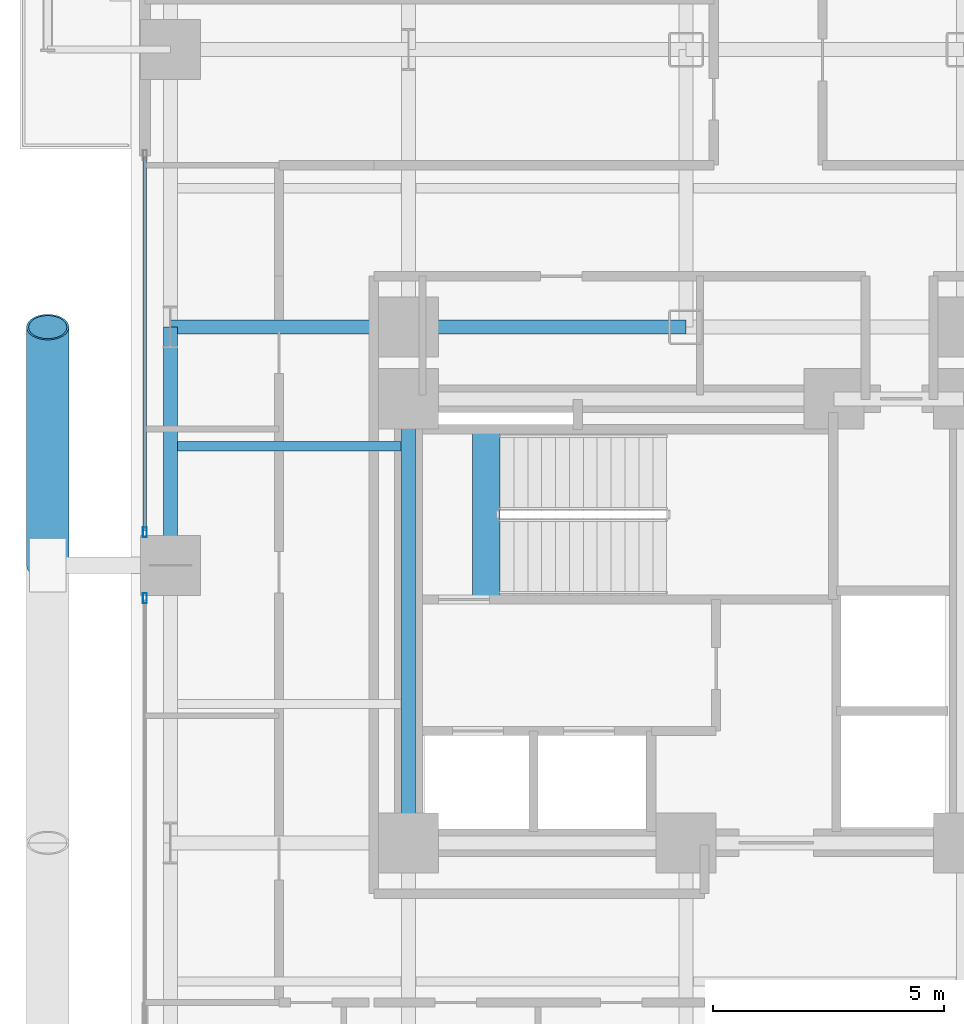
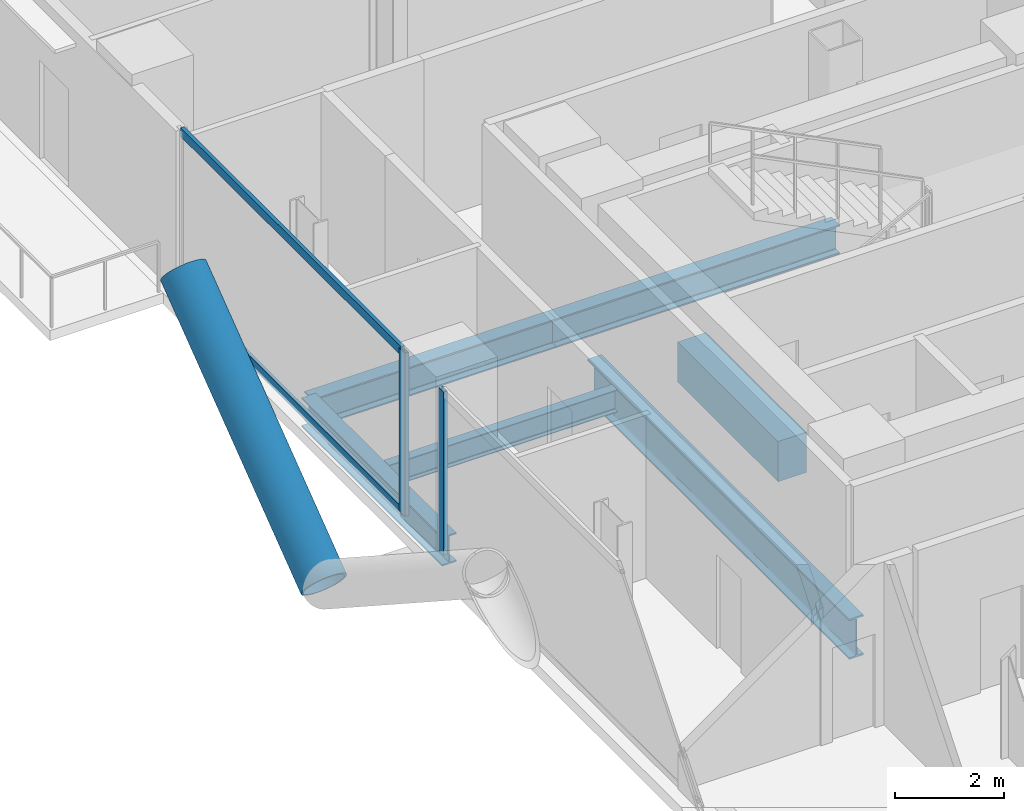
# One storey, part 5 of 27: 6 beams, 5 members, 2 elements without a shape of their own.
"""IFC4 building model written with IfcOpenShell, lengths in metres."""

from ifc_helpers import new_model, si_unit, direction, frame, origin, origin_2d, place, context, subcontext, project, spatial, rectangle, hollow_rectangle, hollow_circle, i_section, extrude, material, layer, layer_set, material_profile, profile_set, type_object, element, aggregate, save


model = new_model("IFC4")

# Units and contexts
model_context = context("Model", 3, precision=1e-05, world=origin(), true_north=direction((0.0, 1.0)))
body_context = subcontext(model_context, "Body", "Model", "MODEL_VIEW")
ifc_project = project(units=[si_unit("LENGTHUNIT", "METRE"), si_unit("AREAUNIT", "SQUARE_METRE"), si_unit("VOLUMEUNIT", "CUBIC_METRE"), si_unit("PLANEANGLEUNIT", "RADIAN"), si_unit("MASSUNIT", "GRAM", prefix="KILO"), si_unit("THERMODYNAMICTEMPERATUREUNIT", "KELVIN"), si_unit("POWERUNIT", "WATT")], contexts=[model_context])

# Site, building, storey
site_placement = place(None, origin())
site = spatial("IfcSite", under=ifc_project, at=site_placement, CompositionType="ELEMENT")
building_placement = place(site_placement, origin())
building = spatial("IfcBuilding", under=site, at=building_placement, Name="Svarakhadi Broadcast Tower", CompositionType="ELEMENT")
storey_placement = place(building_placement, frame((0.0, 0.0, 44.10009765625)))
storey = spatial("IfcBuildingStorey", under=building, at=storey_placement, Name="L09", CompositionType="ELEMENT", Elevation=44.10009765625)

# Beam
ifc_material_1 = material(Name="Steel S355J2 (IS 2062 E350C)", Category="steel")
ifc_material_profile_1 = material_profile(ifc_material_1, i_section(OverallWidth=0.199951171875, OverallDepth=0.5, WebThickness=0.01025390625, FlangeThickness=0.01611328125, FilletRadius=0.02099609375, at=origin_2d()), Name="NPB 500x200x91")
ifc_profile_set_1 = profile_set([ifc_material_profile_1], Name="Steel S355J2 (IS 2062 E350C)")
beam_type_1 = type_object("IfcBeamType", Name="Beam_NPB500", PredefinedType="BEAM", material=ifc_profile_set_1)
beam_1_placement = place(storey_placement, frame((1.010009765625, 26.574951171875, -0.5), z_axis=(1.0, 0.0, 0.0), x_axis=(0.0, 1.0, 0.0)))
element("IfcBeam", 1, at=beam_1_placement, inside=storey, type_object=beam_type_1, Name="L09 Secondary Composite Beam SB004", PredefinedType="BEAM", context=body_context, shape_type="SweptSolid", body=[
    extrude(i_section(OverallWidth=0.199951171875, OverallDepth=0.5, WebThickness=0.01025390625, FlangeThickness=0.01611328125, FilletRadius=0.02099609375, at=origin_2d()), origin(), (0.0, 0.0, 1.0), 4.830078125),
])

# Curtain wall, member
ifc_material_2 = material(Name="Anodised Bronze Aluminium AA 6063-T6", Category="aluminium")
ifc_layer = layer(ifc_material_2, 0.219970703125)
ifc_layer_set = layer_set([ifc_layer], Name="Anodised Bronze Aluminium AA 6063-T6")
curtain_wall_type = type_object("IfcCurtainWallType", Name="CW_Sys_02", PredefinedType="NOTDEFINED", material=ifc_layer_set)
curtain_wall_1_placement = place(storey_placement, origin())
curtain_wall_1 = element("IfcCurtainWall", 2, at=curtain_wall_1_placement, inside=storey, type_object=curtain_wall_type, Name="L09 West Curtain Wall 02 Bay 2", PredefinedType="NOTDEFINED")
ifc_material_profile_2 = material_profile(ifc_material_2, hollow_rectangle(XDim=0.0849609375, YDim=0.219970703125, WallThickness=0.006103515625, at=origin_2d()), Name="ALU MULLION 220x85x6")
ifc_profile_set_2 = profile_set([ifc_material_profile_2], Name="Anodised Bronze Aluminium AA 6063-T6")
member_type_1 = type_object("IfcMemberType", Name="CW_Sys_02_Mul", PredefinedType="MULLION", material=ifc_profile_set_2)
member_1_placement = place(storey_placement, frame((0.300048828125, 23.28759765625, 0.0), z_axis=(0.0, 0.0, 1.0), x_axis=(-1.0, 0.0, 0.0)))
member_1 = element("IfcMember", 3, at=member_1_placement, type_object=member_type_1, Name="CW-02 mullion 2", PredefinedType="MULLION", context=body_context, shape_type="SweptSolid", body=[
    extrude(hollow_rectangle(XDim=0.0849609375, YDim=0.219970703125, WallThickness=0.006103515625, at=origin_2d()), origin(), (0.0, 0.0, 1.0), 3.64990234375),
])
aggregate(curtain_wall_1, [member_1])

# Curtain wall, members
curtain_wall_2_placement = place(storey_placement, origin())
curtain_wall_2 = element("IfcCurtainWall", 4, at=curtain_wall_2_placement, inside=storey, type_object=curtain_wall_type, Name="L09 West Curtain Wall 02 Bay 3", PredefinedType="NOTDEFINED")
member_2_placement = place(storey_placement, frame((0.300048828125, 24.71240234375, 0.0), z_axis=(0.0, 0.0, 1.0), x_axis=(-1.0, 0.0, 0.0)))
member_2 = element("IfcMember", 5, at=member_2_placement, type_object=member_type_1, Name="CW-02 mullion 1", PredefinedType="MULLION", context=body_context, shape_type="SweptSolid", body=[
    extrude(hollow_rectangle(XDim=0.0849609375, YDim=0.219970703125, WallThickness=0.006103515625, at=origin_2d()), origin(), (0.0, 0.0, 1.0), 3.64990234375),
])
ifc_material_profile_3 = material_profile(ifc_material_2, hollow_rectangle(XDim=0.074951171875, YDim=0.199951171875, WallThickness=0.0048828125, at=origin_2d()), Name="ALU TRANSOM 200x75x5")
ifc_profile_set_3 = profile_set([ifc_material_profile_3], Name="Anodised Bronze Aluminium AA 6063-T6")
member_type_2 = type_object("IfcMemberType", Name="CW_Sys_02_Trn", PredefinedType="USERDEFINED", material=ifc_profile_set_3)
member_3_placement = place(storey_placement, frame((0.300048828125, 24.7548828125, 0.037353515625), z_axis=(0.0, 1.0, 0.0), x_axis=(-1.0, 0.0, 0.0)))
member_3 = element("IfcMember", 6, at=member_3_placement, type_object=member_type_2, Name="CW-02 transom 1.1", ObjectType="TRANSOM", PredefinedType="USERDEFINED", context=body_context, shape_type="SweptSolid", body=[
    extrude(hollow_rectangle(XDim=0.074951171875, YDim=0.199951171875, WallThickness=0.0048828125, at=origin_2d()), origin(), (0.0, 0.0, 1.0), 8.070068359375),
])
member_4_placement = place(storey_placement, frame((0.300048828125, 24.7548828125, 3.6123046875), z_axis=(0.0, 1.0, 0.0), x_axis=(-1.0, 0.0, 0.0)))
member_4 = element("IfcMember", 7, at=member_4_placement, type_object=member_type_2, Name="CW-02 transom 1.2", ObjectType="TRANSOM", PredefinedType="USERDEFINED", context=body_context, shape_type="SweptSolid", body=[
    extrude(hollow_rectangle(XDim=0.074951171875, YDim=0.199951171875, WallThickness=0.0048828125, at=origin_2d()), origin(), (0.0, 0.0, 1.0), 8.070068359375),
])
aggregate(curtain_wall_2, [member_2, member_3, member_4])

# Beam
ifc_material_3 = material(Name="Concrete C50/60 (IS 456 M60)", Category="concrete")
ifc_material_profile_4 = material_profile(ifc_material_3, rectangle(XDim=0.60009765625, YDim=0.89990234375, at=origin_2d()), Name="RC 600x900")
ifc_profile_set_4 = profile_set([ifc_material_profile_4], Name="Concrete C50/60 (IS 456 M60)")
beam_type_2 = type_object("IfcBeamType", Name="Coupling_RC600", PredefinedType="USERDEFINED", material=ifc_profile_set_4)
beam_2_placement = place(storey_placement, frame((7.679931640625, 23.260009765625, -0.4501953125), z_axis=(0.0, 1.0, 0.0), x_axis=(-1.0, 0.0, 0.0)))
element("IfcBeam", 8, at=beam_2_placement, inside=storey, type_object=beam_type_2, Name="L09 Stair ST-01 Landing Throat Trimmer Beam CB-01", ObjectType="GIRDER", PredefinedType="USERDEFINED", context=body_context, shape_type="SweptSolid", body=[
    extrude(rectangle(XDim=0.60009765625, YDim=0.89990234375, at=origin_2d()), origin(), (0.0, 0.0, 1.0), 3.679931640625),
])

# Member
ifc_material_4 = material(Name="Steel S460ML (IS 2062 E450BR)", Category="steel")
ifc_material_profile_5 = material_profile(ifc_material_4, hollow_circle(Radius=0.45703125, WallThickness=0.044921875, at=origin_2d()), Name="CHS 914x45")
ifc_profile_set_5 = profile_set([ifc_material_profile_5], Name="Steel S460ML (IS 2062 E450BR)")
member_type_3 = type_object("IfcMemberType", Name="Exo_Brace_CHS914", PredefinedType="BRACE", material=ifc_profile_set_5)
member_5_placement = place(storey_placement, frame((-1.800048828125, 24.0, -0.427978515625), z_axis=(0.0, 0.797188602897, 0.603730346605), x_axis=(-1.0, 0.0, 0.0)))
element("IfcMember", 9, at=member_5_placement, inside=storey, type_object=member_type_3, Name="L09 Exposed Bronze Exoskeleton Diagonal W09", PredefinedType="BRACE", context=body_context, shape_type="SweptSolid", body=[
    extrude(hollow_circle(Radius=0.45703125, WallThickness=0.044921875, at=origin_2d()), origin(), (0.0, 0.0, 1.0), 6.4599609375),
])

# Beams
ifc_material_profile_6 = material_profile(ifc_material_1, i_section(OverallWidth=0.300048828125, OverallDepth=0.64990234375, WebThickness=0.01611328125, FlangeThickness=0.031005859375, FilletRadius=0.027099609375, at=origin_2d()), Name="WPB 650x300x225")
ifc_profile_set_6 = profile_set([ifc_material_profile_6], Name="Steel S355J2 (IS 2062 E350C)")
beam_type_3 = type_object("IfcBeamType", Name="Girder_WPB650", PredefinedType="USERDEFINED", material=ifc_profile_set_6)
beam_3_placement = place(storey_placement, frame((0.85009765625, 29.14990234375, -0.5751953125), z_axis=(1.0, 0.0, 0.0), x_axis=(0.0, 1.0, 0.0)))
element("IfcBeam", 10, at=beam_3_placement, inside=storey, type_object=beam_type_3, Name="L09 Primary E-W Girder G034", ObjectType="GIRDER", PredefinedType="USERDEFINED", context=body_context, shape_type="SweptSolid", body=[
    extrude(i_section(OverallWidth=0.300048828125, OverallDepth=0.64990234375, WebThickness=0.01611328125, FlangeThickness=0.031005859375, FilletRadius=0.027099609375, at=origin_2d()), origin(), (0.0, 0.0, 1.0), 5.14990234375),
])
beam_4_placement = place(storey_placement, frame((6.0, 29.14990234375, -0.5751953125), z_axis=(1.0, 0.0, 0.0), x_axis=(0.0, 1.0, 0.0)))
element("IfcBeam", 11, at=beam_4_placement, inside=storey, type_object=beam_type_3, Name="L09 Primary E-W Girder G035", ObjectType="GIRDER", PredefinedType="USERDEFINED", context=body_context, shape_type="SweptSolid", body=[
    extrude(i_section(OverallWidth=0.300048828125, OverallDepth=0.64990234375, WebThickness=0.01611328125, FlangeThickness=0.031005859375, FilletRadius=0.027099609375, at=origin_2d()), origin(), (0.0, 0.0, 1.0), 6.0),
])
beam_5_placement = place(storey_placement, frame((0.85009765625, 24.0, -0.5751953125), z_axis=(0.0, 1.0, 0.0), x_axis=(-1.0, 0.0, 0.0)))
element("IfcBeam", 12, at=beam_5_placement, inside=storey, type_object=beam_type_3, Name="L09 Primary N-S Girder G048", ObjectType="GIRDER", PredefinedType="USERDEFINED", context=body_context, shape_type="SweptSolid", body=[
    extrude(i_section(OverallWidth=0.300048828125, OverallDepth=0.64990234375, WebThickness=0.01611328125, FlangeThickness=0.031005859375, FilletRadius=0.027099609375, at=origin_2d()), origin(), (0.0, 0.0, 1.0), 5.14990234375),
])
ifc_material_profile_7 = material_profile(ifc_material_4, i_section(OverallWidth=0.300048828125, OverallDepth=0.89990234375, WebThickness=0.0185546875, FlangeThickness=0.034912109375, FilletRadius=0.030029296875, at=origin_2d()), Name="WPB 900x300x291")
ifc_profile_set_7 = profile_set([ifc_material_profile_7], Name="Steel S460ML (IS 2062 E450BR)")
beam_type_4 = type_object("IfcBeamType", Name="Girder_WPB900", PredefinedType="USERDEFINED", material=ifc_profile_set_7)
beam_6_placement = place(storey_placement, frame((6.0, 18.0, -0.7001953125), z_axis=(0.0, 1.0, 0.0), x_axis=(-1.0, 0.0, 0.0)))
element("IfcBeam", 13, at=beam_6_placement, inside=storey, type_object=beam_type_4, Name="L09 Primary N-S Girder G054", ObjectType="GIRDER", PredefinedType="USERDEFINED", context=body_context, shape_type="SweptSolid", body=[
    extrude(i_section(OverallWidth=0.300048828125, OverallDepth=0.89990234375, WebThickness=0.0185546875, FlangeThickness=0.034912109375, FilletRadius=0.030029296875, at=origin_2d()), origin(), (0.0, 0.0, 1.0), 9.60009765625),
])

save(model, "model.ifc")
